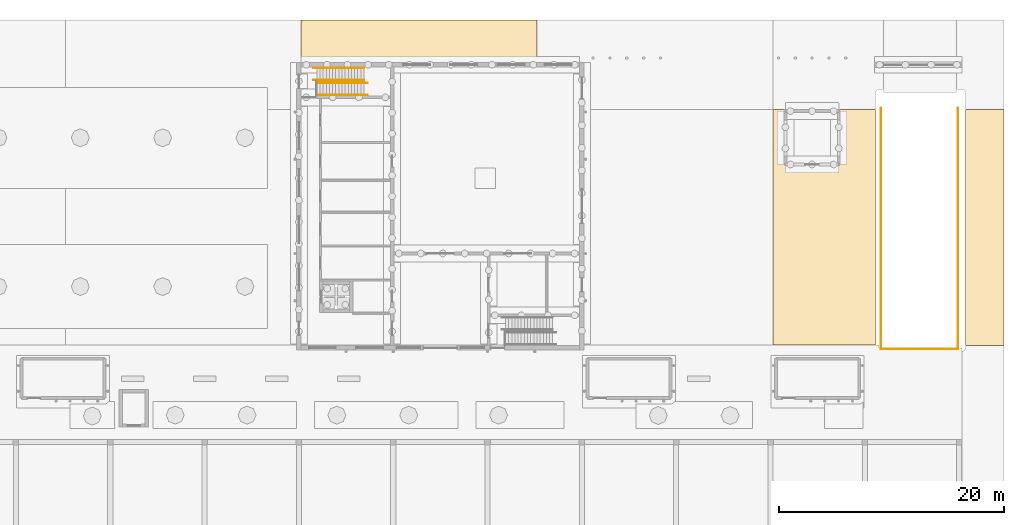
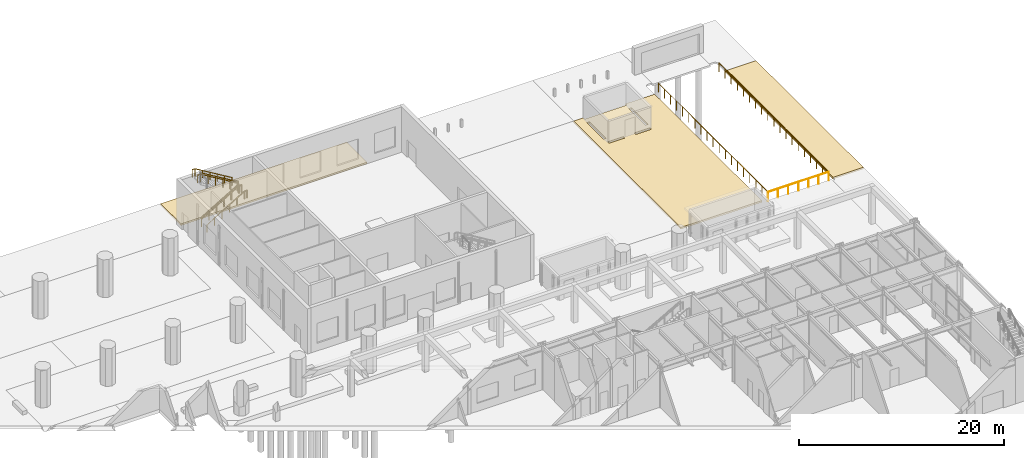
# One storey, part 124 of 127: 9 railings, 3 coverings.
"""IFC4 building model written with IfcOpenShell, lengths in metres."""

from ifc_helpers import new_model, si_unit, direction, frame, origin, origin_2d, place, context, subcontext, project, spatial, polyline, circle, outline, extrude, material, layer, layer_set, type_object, element, save


model = new_model("IFC4")

# Units and contexts
model_context = context("Model", 3, precision=1e-05, world=origin(), true_north=direction((0.0, 1.0)))
body_context = subcontext(model_context, "Body", "Model", "MODEL_VIEW")
ifc_project = project(units=[si_unit("LENGTHUNIT", "METRE"), si_unit("AREAUNIT", "SQUARE_METRE"), si_unit("VOLUMEUNIT", "CUBIC_METRE"), si_unit("PLANEANGLEUNIT", "RADIAN"), si_unit("MASSUNIT", "GRAM", prefix="KILO")], contexts=[model_context])

# Site, building, storey
site_placement = place(None, origin())
site = spatial("IfcSite", under=ifc_project, at=site_placement, CompositionType="ELEMENT")
building_placement = place(site_placement, origin())
building = spatial("IfcBuilding", under=site, at=building_placement, Name="Ljudholm Concert House", CompositionType="ELEMENT")
storey_placement = place(building_placement, origin())
storey = spatial("IfcBuildingStorey", under=building, at=storey_placement, Name="L00", CompositionType="ELEMENT", Elevation=0.0)

# Railings
ifc_material_1 = material(Name="Steel ASTM A36", Category="steel")
railing_type_1 = type_object("IfcRailingType", Name="GUARD 1100", PredefinedType="GUARDRAIL", material=ifc_material_1)
railing_1_placement = place(storey_placement, frame((64.39990234375, 170.425048828125, 0.168701171875)))
element("IfcRailing", 1, at=railing_1_placement, inside=storey, type_object=railing_type_1, Name="Guard", PredefinedType="GUARDRAIL", context=body_context, shape_type="SweptSolid", body=[
    extrude(circle(Radius=0.02490234375, at=origin_2d()), frame((0.0, 0.0, 1.0751953125), z_axis=(0.856459004192, 0.0, 0.516215046409), x_axis=(0.0, 1.0, 0.0)), (0.0, 0.0, 1.0), 0.98095703125),
    extrude(circle(Radius=0.02490234375, at=origin_2d()), frame((0.840087890625, 0.0, 1.58154296875), z_axis=(0.856569041035, 0.0, 0.516032438845), x_axis=(0.0, 1.0, 0.0)), (0.0, 0.0, 1.0), 0.980712890625),
    extrude(circle(Radius=0.02490234375, at=origin_2d()), frame((1.68017578125, 0.0, 2.08740234375), z_axis=(0.856392657067, 0.0, 0.516325107778), x_axis=(0.0, 1.0, 0.0)), (0.0, 0.0, 1.0), 0.980712890625),
    extrude(circle(Radius=0.02490234375, at=origin_2d()), frame((2.52001953125, 0.0, 2.59375), z_axis=(0.856459004192, 0.0, 0.516215046409), x_axis=(0.0, 1.0, 0.0)), (0.0, 0.0, 1.0), 0.98095703125),
    extrude(circle(Radius=0.02490234375, at=origin_2d()), frame((3.360107421875, 0.0, 3.10009765625), z_axis=(0.856569041035, 0.0, 0.516032438845), x_axis=(0.0, 1.0, 0.0)), (0.0, 0.0, 1.0), 0.980712890625),
    extrude(circle(Radius=0.02099609375, at=origin_2d()), origin(), (0.0, 0.0, 1.0), 1.050048828125),
    extrude(circle(Radius=0.02099609375, at=origin_2d()), frame((0.840087890625, 0.0, 0.50634765625)), (0.0, 0.0, 1.0), 1.050048828125),
    extrude(circle(Radius=0.02099609375, at=origin_2d()), frame((1.68017578125, 0.0, 1.012451171875)), (0.0, 0.0, 1.0), 1.050048828125),
    extrude(circle(Radius=0.02099609375, at=origin_2d()), frame((2.52001953125, 0.0, 1.518798828125)), (0.0, 0.0, 1.0), 1.050048828125),
    extrude(circle(Radius=0.02099609375, at=origin_2d()), frame((3.360107421875, 0.0, 2.025146484375)), (0.0, 0.0, 1.0), 1.050048828125),
    extrude(circle(Radius=0.02099609375, at=origin_2d()), frame((4.2001953125, 0.0, 2.53125)), (0.0, 0.0, 1.0), 1.050048828125),
])
railing_2_placement = place(storey_placement, frame((68.60009765625, 170.574951171875, 2.86865234375)))
element("IfcRailing", 2, at=railing_2_placement, inside=storey, type_object=railing_type_1, Name="Guard", PredefinedType="GUARDRAIL", context=body_context, shape_type="SweptSolid", body=[
    extrude(circle(Radius=0.02490234375, at=origin_2d()), frame((0.0, 0.0, 1.0751953125), z_axis=(-0.856459004192, 0.0, 0.516215046409), x_axis=(0.0, -1.0, 0.0)), (0.0, 0.0, 1.0), 0.98095703125),
    extrude(circle(Radius=0.02490234375, at=origin_2d()), frame((-0.840087890625, 0.0, 1.58154296875), z_axis=(-0.856459004192, 0.0, 0.516215046409), x_axis=(0.0, -1.0, 0.0)), (0.0, 0.0, 1.0), 0.98095703125),
    extrude(circle(Radius=0.02490234375, at=origin_2d()), frame((-1.68017578125, 0.0, 2.087890625), z_axis=(-0.856502732318, 0.0, 0.516142489563), x_axis=(0.0, -1.0, 0.0)), (0.0, 0.0, 1.0), 0.98046875),
    extrude(circle(Radius=0.02490234375, at=origin_2d()), frame((-2.52001953125, 0.0, 2.59375), z_axis=(-0.856459004192, 0.0, 0.516215046409), x_axis=(0.0, -1.0, 0.0)), (0.0, 0.0, 1.0), 0.98095703125),
    extrude(circle(Radius=0.02490234375, at=origin_2d()), frame((-3.360107421875, 0.0, 3.10009765625), z_axis=(-0.856569041035, 0.0, 0.516032438845), x_axis=(0.0, -1.0, 0.0)), (0.0, 0.0, 1.0), 0.980712890625),
    extrude(circle(Radius=0.02099609375, at=origin_2d()), origin(), (0.0, 0.0, 1.0), 1.050048828125),
    extrude(circle(Radius=0.02099609375, at=origin_2d()), frame((-0.840087890625, 0.0, 0.50634765625)), (0.0, 0.0, 1.0), 1.050048828125),
    extrude(circle(Radius=0.02099609375, at=origin_2d()), frame((-1.68017578125, 0.0, 1.0126953125)), (0.0, 0.0, 1.0), 1.050048828125),
    extrude(circle(Radius=0.02099609375, at=origin_2d()), frame((-2.52001953125, 0.0, 1.518798828125)), (0.0, 0.0, 1.0), 1.050048828125),
    extrude(circle(Radius=0.02099609375, at=origin_2d()), frame((-3.360107421875, 0.0, 2.025146484375)), (0.0, 0.0, 1.0), 1.050048828125),
    extrude(circle(Radius=0.02099609375, at=origin_2d()), frame((-4.2001953125, 0.0, 2.53125)), (0.0, 0.0, 1.0), 1.050048828125),
])
ifc_material_2 = material(Name="Steel ASTM A36", Category="steel")
railing_type_2 = type_object("IfcRailingType", Name="GUARD 1100 EXTERNAL", PredefinedType="GUARDRAIL", material=ifc_material_2)
railing_3_placement = place(storey_placement, frame((114.64990234375, 168.14990234375, 0.0)))
element("IfcRailing", 3, at=railing_3_placement, inside=storey, type_object=railing_type_2, Name="Guard", PredefinedType="GUARDRAIL", context=body_context, shape_type="SweptSolid", body=[
    extrude(circle(Radius=0.02490234375, at=origin_2d()), frame((0.0, 0.0, 1.0751953125), z_axis=(0.0, -1.0, 0.0), x_axis=(1.0, 0.0, 0.0)), (0.0, 0.0, 1.0), 21.449951171875),
    extrude(circle(Radius=0.02099609375, at=origin_2d()), origin(), (0.0, 0.0, 1.0), 1.050048828125),
    extrude(circle(Radius=0.02099609375, at=origin_2d()), frame((0.0, -1.191650390625, 0.0)), (0.0, 0.0, 1.0), 1.050048828125),
    extrude(circle(Radius=0.02099609375, at=origin_2d()), frame((0.0, -2.38330078125, 0.0)), (0.0, 0.0, 1.0), 1.050048828125),
    extrude(circle(Radius=0.02099609375, at=origin_2d()), frame((0.0, -3.574951171875, 0.0)), (0.0, 0.0, 1.0), 1.050048828125),
    extrude(circle(Radius=0.02099609375, at=origin_2d()), frame((0.0, -4.7666015625, 0.0)), (0.0, 0.0, 1.0), 1.050048828125),
    extrude(circle(Radius=0.02099609375, at=origin_2d()), frame((0.0, -5.958251953125, 0.0)), (0.0, 0.0, 1.0), 1.050048828125),
    extrude(circle(Radius=0.02099609375, at=origin_2d()), frame((0.0, -7.14990234375, 0.0)), (0.0, 0.0, 1.0), 1.050048828125),
    extrude(circle(Radius=0.02099609375, at=origin_2d()), frame((0.0, -8.341552734375, 0.0)), (0.0, 0.0, 1.0), 1.050048828125),
    extrude(circle(Radius=0.02099609375, at=origin_2d()), frame((0.0, -9.533203125, 0.0)), (0.0, 0.0, 1.0), 1.050048828125),
    extrude(circle(Radius=0.02099609375, at=origin_2d()), frame((0.0, -10.72509765625, 0.0)), (0.0, 0.0, 1.0), 1.050048828125),
    extrude(circle(Radius=0.02099609375, at=origin_2d()), frame((0.0, -11.916748046875, 0.0)), (0.0, 0.0, 1.0), 1.050048828125),
    extrude(circle(Radius=0.02099609375, at=origin_2d()), frame((0.0, -13.1083984375, 0.0)), (0.0, 0.0, 1.0), 1.050048828125),
    extrude(circle(Radius=0.02099609375, at=origin_2d()), frame((0.0, -14.300048828125, 0.0)), (0.0, 0.0, 1.0), 1.050048828125),
    extrude(circle(Radius=0.02099609375, at=origin_2d()), frame((0.0, -15.49169921875, 0.0)), (0.0, 0.0, 1.0), 1.050048828125),
    extrude(circle(Radius=0.02099609375, at=origin_2d()), frame((0.0, -16.683349609375, 0.0)), (0.0, 0.0, 1.0), 1.050048828125),
    extrude(circle(Radius=0.02099609375, at=origin_2d()), frame((0.0, -17.875, 0.0)), (0.0, 0.0, 1.0), 1.050048828125),
    extrude(circle(Radius=0.02099609375, at=origin_2d()), frame((0.0, -19.066650390625, 0.0)), (0.0, 0.0, 1.0), 1.050048828125),
    extrude(circle(Radius=0.02099609375, at=origin_2d()), frame((0.0, -20.25830078125, 0.0)), (0.0, 0.0, 1.0), 1.050048828125),
    extrude(circle(Radius=0.02099609375, at=origin_2d()), frame((0.0, -21.449951171875, 0.0)), (0.0, 0.0, 1.0), 1.050048828125),
])
railing_4_placement = place(storey_placement, frame((114.64990234375, 146.699951171875, 0.0)))
element("IfcRailing", 4, at=railing_4_placement, inside=storey, type_object=railing_type_2, Name="Guard", PredefinedType="GUARDRAIL", context=body_context, shape_type="SweptSolid", body=[
    extrude(circle(Radius=0.02490234375, at=origin_2d()), frame((0.0, 0.0, 1.0751953125), z_axis=(1.0, 0.0, 0.0), x_axis=(0.0, 1.0, 0.0)), (0.0, 0.0, 1.0), 6.85009765625),
    extrude(circle(Radius=0.02099609375, at=origin_2d()), origin(), (0.0, 0.0, 1.0), 1.050048828125),
    extrude(circle(Radius=0.02099609375, at=origin_2d()), frame((1.1416015625, 0.0, 0.0)), (0.0, 0.0, 1.0), 1.050048828125),
    extrude(circle(Radius=0.02099609375, at=origin_2d()), frame((2.283447265625, 0.0, 0.0)), (0.0, 0.0, 1.0), 1.050048828125),
    extrude(circle(Radius=0.02099609375, at=origin_2d()), frame((3.425048828125, 0.0, 0.0)), (0.0, 0.0, 1.0), 1.050048828125),
    extrude(circle(Radius=0.02099609375, at=origin_2d()), frame((4.566650390625, 0.0, 0.0)), (0.0, 0.0, 1.0), 1.050048828125),
    extrude(circle(Radius=0.02099609375, at=origin_2d()), frame((5.70849609375, 0.0, 0.0)), (0.0, 0.0, 1.0), 1.050048828125),
    extrude(circle(Radius=0.02099609375, at=origin_2d()), frame((6.85009765625, 0.0, 0.0)), (0.0, 0.0, 1.0), 1.050048828125),
])
railing_5_placement = place(storey_placement, frame((121.5, 146.699951171875, 0.0)))
element("IfcRailing", 5, at=railing_5_placement, inside=storey, type_object=railing_type_2, Name="Guard", PredefinedType="GUARDRAIL", context=body_context, shape_type="SweptSolid", body=[
    extrude(circle(Radius=0.02490234375, at=origin_2d()), frame((0.0, 0.0, 1.0751953125), z_axis=(0.0, 1.0, 0.0), x_axis=(-1.0, 0.0, 0.0)), (0.0, 0.0, 1.0), 21.449951171875),
    extrude(circle(Radius=0.02099609375, at=origin_2d()), origin(), (0.0, 0.0, 1.0), 1.050048828125),
    extrude(circle(Radius=0.02099609375, at=origin_2d()), frame((0.0, 1.191650390625, 0.0)), (0.0, 0.0, 1.0), 1.050048828125),
    extrude(circle(Radius=0.02099609375, at=origin_2d()), frame((0.0, 2.38330078125, 0.0)), (0.0, 0.0, 1.0), 1.050048828125),
    extrude(circle(Radius=0.02099609375, at=origin_2d()), frame((0.0, 3.574951171875, 0.0)), (0.0, 0.0, 1.0), 1.050048828125),
    extrude(circle(Radius=0.02099609375, at=origin_2d()), frame((0.0, 4.7666015625, 0.0)), (0.0, 0.0, 1.0), 1.050048828125),
    extrude(circle(Radius=0.02099609375, at=origin_2d()), frame((0.0, 5.958251953125, 0.0)), (0.0, 0.0, 1.0), 1.050048828125),
    extrude(circle(Radius=0.02099609375, at=origin_2d()), frame((0.0, 7.14990234375, 0.0)), (0.0, 0.0, 1.0), 1.050048828125),
    extrude(circle(Radius=0.02099609375, at=origin_2d()), frame((0.0, 8.341552734375, 0.0)), (0.0, 0.0, 1.0), 1.050048828125),
    extrude(circle(Radius=0.02099609375, at=origin_2d()), frame((0.0, 9.533203125, 0.0)), (0.0, 0.0, 1.0), 1.050048828125),
    extrude(circle(Radius=0.02099609375, at=origin_2d()), frame((0.0, 10.72509765625, 0.0)), (0.0, 0.0, 1.0), 1.050048828125),
    extrude(circle(Radius=0.02099609375, at=origin_2d()), frame((0.0, 11.916748046875, 0.0)), (0.0, 0.0, 1.0), 1.050048828125),
    extrude(circle(Radius=0.02099609375, at=origin_2d()), frame((0.0, 13.1083984375, 0.0)), (0.0, 0.0, 1.0), 1.050048828125),
    extrude(circle(Radius=0.02099609375, at=origin_2d()), frame((0.0, 14.300048828125, 0.0)), (0.0, 0.0, 1.0), 1.050048828125),
    extrude(circle(Radius=0.02099609375, at=origin_2d()), frame((0.0, 15.49169921875, 0.0)), (0.0, 0.0, 1.0), 1.050048828125),
    extrude(circle(Radius=0.02099609375, at=origin_2d()), frame((0.0, 16.683349609375, 0.0)), (0.0, 0.0, 1.0), 1.050048828125),
    extrude(circle(Radius=0.02099609375, at=origin_2d()), frame((0.0, 17.875, 0.0)), (0.0, 0.0, 1.0), 1.050048828125),
    extrude(circle(Radius=0.02099609375, at=origin_2d()), frame((0.0, 19.066650390625, 0.0)), (0.0, 0.0, 1.0), 1.050048828125),
    extrude(circle(Radius=0.02099609375, at=origin_2d()), frame((0.0, 20.25830078125, 0.0)), (0.0, 0.0, 1.0), 1.050048828125),
    extrude(circle(Radius=0.02099609375, at=origin_2d()), frame((0.0, 21.449951171875, 0.0)), (0.0, 0.0, 1.0), 1.050048828125),
])
ifc_material_3 = material(Name="Steel ASTM A36", Category="steel")
railing_type_3 = type_object("IfcRailingType", Name="HANDRAIL 900", PredefinedType="HANDRAIL", material=ifc_material_3)
railing_6_placement = place(storey_placement, frame((64.39990234375, 170.375, 0.168701171875)))
element("IfcRailing", 6, at=railing_6_placement, inside=storey, type_object=railing_type_3, Name="Handrail", PredefinedType="HANDRAIL", context=body_context, shape_type="SweptSolid", body=[
    extrude(circle(Radius=0.0224609375, at=origin_2d()), frame((0.0, 0.0, 0.87744140625), z_axis=(0.856459004192, 0.0, 0.516215046409), x_axis=(0.0, 1.0, 0.0)), (0.0, 0.0, 1.0), 0.98095703125),
    extrude(circle(Radius=0.0224609375, at=origin_2d()), frame((0.840087890625, 0.0, 1.3837890625), z_axis=(0.856569041035, 0.0, 0.516032438845), x_axis=(0.0, 1.0, 0.0)), (0.0, 0.0, 1.0), 0.980712890625),
    extrude(circle(Radius=0.0224609375, at=origin_2d()), frame((1.68017578125, 0.0, 1.889892578125), z_axis=(0.856392657067, 0.0, 0.516325107778), x_axis=(0.0, 1.0, 0.0)), (0.0, 0.0, 1.0), 0.980712890625),
    extrude(circle(Radius=0.0224609375, at=origin_2d()), frame((2.52001953125, 0.0, 2.396240234375), z_axis=(0.856459004192, 0.0, 0.516215046409), x_axis=(0.0, 1.0, 0.0)), (0.0, 0.0, 1.0), 0.98095703125),
    extrude(circle(Radius=0.0224609375, at=origin_2d()), frame((3.360107421875, 0.0, 2.902587890625), z_axis=(0.856569041035, 0.0, 0.516032438845), x_axis=(0.0, 1.0, 0.0)), (0.0, 0.0, 1.0), 0.980712890625),
    extrude(circle(Radius=0.0224609375, at=origin_2d()), frame((4.2001953125, 0.0, 3.40869140625), z_axis=(1.0, 0.0, 0.0), x_axis=(0.0, 1.0, 0.0)), (0.0, 0.0, 1.0), 0.2998046875),
    extrude(circle(Radius=0.02099609375, at=origin_2d()), origin(), (0.0, 0.0, 1.0), 0.85498046875),
    extrude(circle(Radius=0.02099609375, at=origin_2d()), frame((0.840087890625, 0.0, 0.50634765625)), (0.0, 0.0, 1.0), 0.85498046875),
    extrude(circle(Radius=0.02099609375, at=origin_2d()), frame((1.68017578125, 0.0, 1.012451171875)), (0.0, 0.0, 1.0), 0.85498046875),
    extrude(circle(Radius=0.02099609375, at=origin_2d()), frame((2.52001953125, 0.0, 1.518798828125)), (0.0, 0.0, 1.0), 0.85498046875),
    extrude(circle(Radius=0.02099609375, at=origin_2d()), frame((3.360107421875, 0.0, 2.025146484375)), (0.0, 0.0, 1.0), 0.85498046875),
    extrude(circle(Radius=0.02099609375, at=origin_2d()), frame((4.2001953125, 0.0, 2.53125)), (0.0, 0.0, 1.0), 0.85498046875),
    extrude(circle(Radius=0.02099609375, at=origin_2d()), frame((4.5, 0.0, 2.53125)), (0.0, 0.0, 1.0), 0.85498046875),
])
railing_7_placement = place(storey_placement, frame((64.39990234375, 169.300048828125, 0.168701171875)))
element("IfcRailing", 7, at=railing_7_placement, inside=storey, type_object=railing_type_3, Name="Handrail", PredefinedType="HANDRAIL", context=body_context, shape_type="SweptSolid", body=[
    extrude(circle(Radius=0.0224609375, at=origin_2d()), frame((0.0, 0.0, 0.87744140625), z_axis=(0.856459004192, 0.0, 0.516215046409), x_axis=(0.0, 1.0, 0.0)), (0.0, 0.0, 1.0), 0.98095703125),
    extrude(circle(Radius=0.0224609375, at=origin_2d()), frame((0.840087890625, 0.0, 1.3837890625), z_axis=(0.856569041035, 0.0, 0.516032438845), x_axis=(0.0, 1.0, 0.0)), (0.0, 0.0, 1.0), 0.980712890625),
    extrude(circle(Radius=0.0224609375, at=origin_2d()), frame((1.68017578125, 0.0, 1.889892578125), z_axis=(0.856392657067, 0.0, 0.516325107778), x_axis=(0.0, 1.0, 0.0)), (0.0, 0.0, 1.0), 0.980712890625),
    extrude(circle(Radius=0.0224609375, at=origin_2d()), frame((2.52001953125, 0.0, 2.396240234375), z_axis=(0.856459004192, 0.0, 0.516215046409), x_axis=(0.0, 1.0, 0.0)), (0.0, 0.0, 1.0), 0.98095703125),
    extrude(circle(Radius=0.0224609375, at=origin_2d()), frame((3.360107421875, 0.0, 2.902587890625), z_axis=(0.856569041035, 0.0, 0.516032438845), x_axis=(0.0, 1.0, 0.0)), (0.0, 0.0, 1.0), 0.980712890625),
    extrude(circle(Radius=0.0224609375, at=origin_2d()), frame((4.2001953125, 0.0, 3.40869140625), z_axis=(1.0, 0.0, 0.0), x_axis=(0.0, 1.0, 0.0)), (0.0, 0.0, 1.0), 0.2998046875),
    extrude(circle(Radius=0.02099609375, at=origin_2d()), origin(), (0.0, 0.0, 1.0), 0.85498046875),
    extrude(circle(Radius=0.02099609375, at=origin_2d()), frame((0.840087890625, 0.0, 0.50634765625)), (0.0, 0.0, 1.0), 0.85498046875),
    extrude(circle(Radius=0.02099609375, at=origin_2d()), frame((1.68017578125, 0.0, 1.012451171875)), (0.0, 0.0, 1.0), 0.85498046875),
    extrude(circle(Radius=0.02099609375, at=origin_2d()), frame((2.52001953125, 0.0, 1.518798828125)), (0.0, 0.0, 1.0), 0.85498046875),
    extrude(circle(Radius=0.02099609375, at=origin_2d()), frame((3.360107421875, 0.0, 2.025146484375)), (0.0, 0.0, 1.0), 0.85498046875),
    extrude(circle(Radius=0.02099609375, at=origin_2d()), frame((4.2001953125, 0.0, 2.53125)), (0.0, 0.0, 1.0), 0.85498046875),
    extrude(circle(Radius=0.02099609375, at=origin_2d()), frame((4.5, 0.0, 2.53125)), (0.0, 0.0, 1.0), 0.85498046875),
])
railing_8_placement = place(storey_placement, frame((68.60009765625, 170.625, 2.86865234375)))
element("IfcRailing", 8, at=railing_8_placement, inside=storey, type_object=railing_type_3, Name="Handrail", PredefinedType="HANDRAIL", context=body_context, shape_type="SweptSolid", body=[
    extrude(circle(Radius=0.0224609375, at=origin_2d()), frame((0.0, 0.0, 0.87744140625), z_axis=(-0.856459004192, 0.0, 0.516215046409), x_axis=(0.0, -1.0, 0.0)), (0.0, 0.0, 1.0), 0.98095703125),
    extrude(circle(Radius=0.0224609375, at=origin_2d()), frame((-0.840087890625, 0.0, 1.3837890625), z_axis=(-0.856459004192, 0.0, 0.516215046409), x_axis=(0.0, -1.0, 0.0)), (0.0, 0.0, 1.0), 0.98095703125),
    extrude(circle(Radius=0.0224609375, at=origin_2d()), frame((-1.68017578125, 0.0, 1.89013671875), z_axis=(-0.856502732318, 0.0, 0.516142489563), x_axis=(0.0, -1.0, 0.0)), (0.0, 0.0, 1.0), 0.98046875),
    extrude(circle(Radius=0.0224609375, at=origin_2d()), frame((-2.52001953125, 0.0, 2.396240234375), z_axis=(-0.856459004192, 0.0, 0.516215046409), x_axis=(0.0, -1.0, 0.0)), (0.0, 0.0, 1.0), 0.98095703125),
    extrude(circle(Radius=0.0224609375, at=origin_2d()), frame((-3.360107421875, 0.0, 2.902587890625), z_axis=(-0.856569041035, 0.0, 0.516032438845), x_axis=(0.0, -1.0, 0.0)), (0.0, 0.0, 1.0), 0.980712890625),
    extrude(circle(Radius=0.0224609375, at=origin_2d()), frame((-4.2001953125, 0.0, 3.40869140625), z_axis=(-1.0, 0.0, 0.0), x_axis=(0.0, -1.0, 0.0)), (0.0, 0.0, 1.0), 0.2998046875),
    extrude(circle(Radius=0.02099609375, at=origin_2d()), origin(), (0.0, 0.0, 1.0), 0.85498046875),
    extrude(circle(Radius=0.02099609375, at=origin_2d()), frame((-0.840087890625, 0.0, 0.50634765625)), (0.0, 0.0, 1.0), 0.85498046875),
    extrude(circle(Radius=0.02099609375, at=origin_2d()), frame((-1.68017578125, 0.0, 1.0126953125)), (0.0, 0.0, 1.0), 0.85498046875),
    extrude(circle(Radius=0.02099609375, at=origin_2d()), frame((-2.52001953125, 0.0, 1.518798828125)), (0.0, 0.0, 1.0), 0.85498046875),
    extrude(circle(Radius=0.02099609375, at=origin_2d()), frame((-3.360107421875, 0.0, 2.025146484375)), (0.0, 0.0, 1.0), 0.85498046875),
    extrude(circle(Radius=0.02099609375, at=origin_2d()), frame((-4.2001953125, 0.0, 2.53125)), (0.0, 0.0, 1.0), 0.85498046875),
    extrude(circle(Radius=0.02099609375, at=origin_2d()), frame((-4.5, 0.0, 2.53125)), (0.0, 0.0, 1.0), 0.85498046875),
])
railing_9_placement = place(storey_placement, frame((68.60009765625, 171.699951171875, 2.86865234375)))
element("IfcRailing", 9, at=railing_9_placement, inside=storey, type_object=railing_type_3, Name="Handrail", PredefinedType="HANDRAIL", context=body_context, shape_type="SweptSolid", body=[
    extrude(circle(Radius=0.0224609375, at=origin_2d()), frame((0.0, 0.0, 0.87744140625), z_axis=(-0.856459004192, 0.0, 0.516215046409), x_axis=(0.0, -1.0, 0.0)), (0.0, 0.0, 1.0), 0.98095703125),
    extrude(circle(Radius=0.0224609375, at=origin_2d()), frame((-0.840087890625, 0.0, 1.3837890625), z_axis=(-0.856459004192, 0.0, 0.516215046409), x_axis=(0.0, -1.0, 0.0)), (0.0, 0.0, 1.0), 0.98095703125),
    extrude(circle(Radius=0.0224609375, at=origin_2d()), frame((-1.68017578125, 0.0, 1.89013671875), z_axis=(-0.856502732318, 0.0, 0.516142489563), x_axis=(0.0, -1.0, 0.0)), (0.0, 0.0, 1.0), 0.98046875),
    extrude(circle(Radius=0.0224609375, at=origin_2d()), frame((-2.52001953125, 0.0, 2.396240234375), z_axis=(-0.856459004192, 0.0, 0.516215046409), x_axis=(0.0, -1.0, 0.0)), (0.0, 0.0, 1.0), 0.98095703125),
    extrude(circle(Radius=0.0224609375, at=origin_2d()), frame((-3.360107421875, 0.0, 2.902587890625), z_axis=(-0.856569041035, 0.0, 0.516032438845), x_axis=(0.0, -1.0, 0.0)), (0.0, 0.0, 1.0), 0.980712890625),
    extrude(circle(Radius=0.0224609375, at=origin_2d()), frame((-4.2001953125, 0.0, 3.40869140625), z_axis=(-1.0, 0.0, 0.0), x_axis=(0.0, -1.0, 0.0)), (0.0, 0.0, 1.0), 0.2998046875),
    extrude(circle(Radius=0.02099609375, at=origin_2d()), origin(), (0.0, 0.0, 1.0), 0.85498046875),
    extrude(circle(Radius=0.02099609375, at=origin_2d()), frame((-0.840087890625, 0.0, 0.50634765625)), (0.0, 0.0, 1.0), 0.85498046875),
    extrude(circle(Radius=0.02099609375, at=origin_2d()), frame((-1.68017578125, 0.0, 1.0126953125)), (0.0, 0.0, 1.0), 0.85498046875),
    extrude(circle(Radius=0.02099609375, at=origin_2d()), frame((-2.52001953125, 0.0, 1.518798828125)), (0.0, 0.0, 1.0), 0.85498046875),
    extrude(circle(Radius=0.02099609375, at=origin_2d()), frame((-3.360107421875, 0.0, 2.025146484375)), (0.0, 0.0, 1.0), 0.85498046875),
    extrude(circle(Radius=0.02099609375, at=origin_2d()), frame((-4.2001953125, 0.0, 2.53125)), (0.0, 0.0, 1.0), 0.85498046875),
    extrude(circle(Radius=0.02099609375, at=origin_2d()), frame((-4.5, 0.0, 2.53125)), (0.0, 0.0, 1.0), 0.85498046875),
])

# Coverings
ifc_material_4 = material(Name="Precast concrete pavers on compacted sand bed", Category="concrete")
ifc_layer = layer(ifc_material_4, 0.199951171875)
ifc_layer_set = layer_set([ifc_layer], Name="Precast concrete pavers on compacted sand bed")
covering_type = type_object("IfcCoveringType", Name="PRECAST CONCRETE PAVERS ON COMPACTED SAND BED PAVING 200", PredefinedType="USERDEFINED", material=ifc_layer_set)
covering_1_placement = place(storey_placement, frame((0.0, 0.0, -0.199951171875)))
element("IfcCovering", 10, at=covering_1_placement, inside=storey, type_object=covering_type, Name="Paving", ObjectType="PAVING", PredefinedType="USERDEFINED", context=body_context, shape_type="SweptSolid", body=[
    extrude(outline(polyline([(125.590087890625, 147.0), (122.14990234375, 147.0), (122.14990234375, 168.0), (125.590087890625, 168.0), (125.590087890625, 147.0)])), origin(), (0.0, 0.0, 1.0), 0.199951171875),
])
covering_2_placement = place(storey_placement, frame((0.0, 0.0, -0.199951171875)))
element("IfcCovering", 11, at=covering_2_placement, inside=storey, type_object=covering_type, Name="Paving", ObjectType="PAVING", PredefinedType="USERDEFINED", context=body_context, shape_type="SweptSolid", body=[
    extrude(outline(polyline([(114.14990234375, 147.050048828125), (105.0, 147.050048828125), (105.0, 168.0), (106.125, 168.0), (106.125, 167.748046875), (106.12744140625, 167.740478515625), (106.130859375, 167.73583984375), (106.137451171875, 167.7314453125), (106.14501953125, 167.72998046875), (110.85498046875, 167.72998046875), (110.862548828125, 167.7314453125), (110.869140625, 167.73583984375), (110.87255859375, 167.740478515625), (110.875, 167.748046875), (110.875, 168.0), (114.14990234375, 168.0), (114.14990234375, 147.050048828125)]), holes=[polyline([(106.12646484375, 163.257568359375), (106.125, 163.25), (106.125, 162.998046875), (106.12744140625, 162.990478515625), (106.130859375, 162.98583984375), (106.137451171875, 162.9814453125), (106.14306640625, 162.97998046875), (107.8798828125, 162.97998046875), (107.8876953125, 162.9814453125), (107.89404296875, 162.98583984375), (107.897705078125, 162.990478515625), (107.89990234375, 162.998046875), (107.89990234375, 163.251953125), (107.897705078125, 163.259521484375), (107.89404296875, 163.26416015625), (107.8876953125, 163.2685546875), (107.882080078125, 163.27001953125), (106.14501953125, 163.27001953125), (106.1337890625, 163.2666015625), (106.12646484375, 163.257568359375)]), polyline([(110.862548828125, 163.2685546875), (110.85498046875, 163.27001953125), (109.1162109375, 163.26953125), (109.10595703125, 163.26416015625), (109.102294921875, 163.259521484375), (109.10009765625, 163.251953125), (109.100341796875, 162.99609375), (109.103271484375, 162.98876953125), (109.107421875, 162.984619140625), (109.1123046875, 162.9814453125), (109.1201171875, 162.97998046875), (110.85888671875, 162.98046875), (110.864501953125, 162.982421875), (110.870361328125, 162.9873046875), (110.8740234375, 162.994140625), (110.875, 163.0), (110.875, 163.25), (110.87158203125, 163.26123046875), (110.862548828125, 163.2685546875)]), polyline([(110.742431640625, 163.87646484375), (110.75, 163.875), (111.001953125, 163.875), (111.007568359375, 163.87646484375), (111.01416015625, 163.880859375), (111.017578125, 163.885498046875), (111.02001953125, 163.89306640625), (111.02001953125, 167.10498046875), (111.0185546875, 167.112548828125), (111.01416015625, 167.119140625), (111.007568359375, 167.12353515625), (111.001953125, 167.125), (110.748046875, 167.125), (110.742431640625, 167.12353515625), (110.73583984375, 167.119140625), (110.732421875, 167.114501953125), (110.72998046875, 167.10693359375), (110.72998046875, 163.89501953125), (110.7333984375, 163.8837890625), (110.742431640625, 163.87646484375)]), polyline([(105.9814453125, 167.112548828125), (105.97998046875, 167.10498046875), (105.97998046875, 163.89306640625), (105.982421875, 163.885498046875), (105.98583984375, 163.880859375), (105.992431640625, 163.87646484375), (105.998046875, 163.875), (106.251953125, 163.875), (106.257568359375, 163.87646484375), (106.26416015625, 163.880859375), (106.2685546875, 163.887451171875), (106.27001953125, 163.89501953125), (106.27001953125, 167.10693359375), (106.267578125, 167.114501953125), (106.26416015625, 167.119140625), (106.257568359375, 167.12353515625), (106.25, 167.125), (106.0, 167.125), (105.98876953125, 167.12158203125), (105.9814453125, 167.112548828125)])]), origin(), (0.0, 0.0, 1.0), 0.199951171875),
])
covering_3_placement = place(storey_placement, frame((0.0, 0.0, -0.199951171875)))
element("IfcCovering", 12, at=covering_3_placement, inside=storey, type_object=covering_type, Name="Paving", ObjectType="PAVING", PredefinedType="USERDEFINED", context=body_context, shape_type="SweptSolid", body=[
    extrude(outline(polyline([(84.0, 175.989990234375), (84.0, 172.0), (63.0, 172.0), (63.0, 175.989990234375), (84.0, 175.989990234375)])), origin(), (0.0, 0.0, 1.0), 0.199951171875),
])

save(model, "model.ifc")
